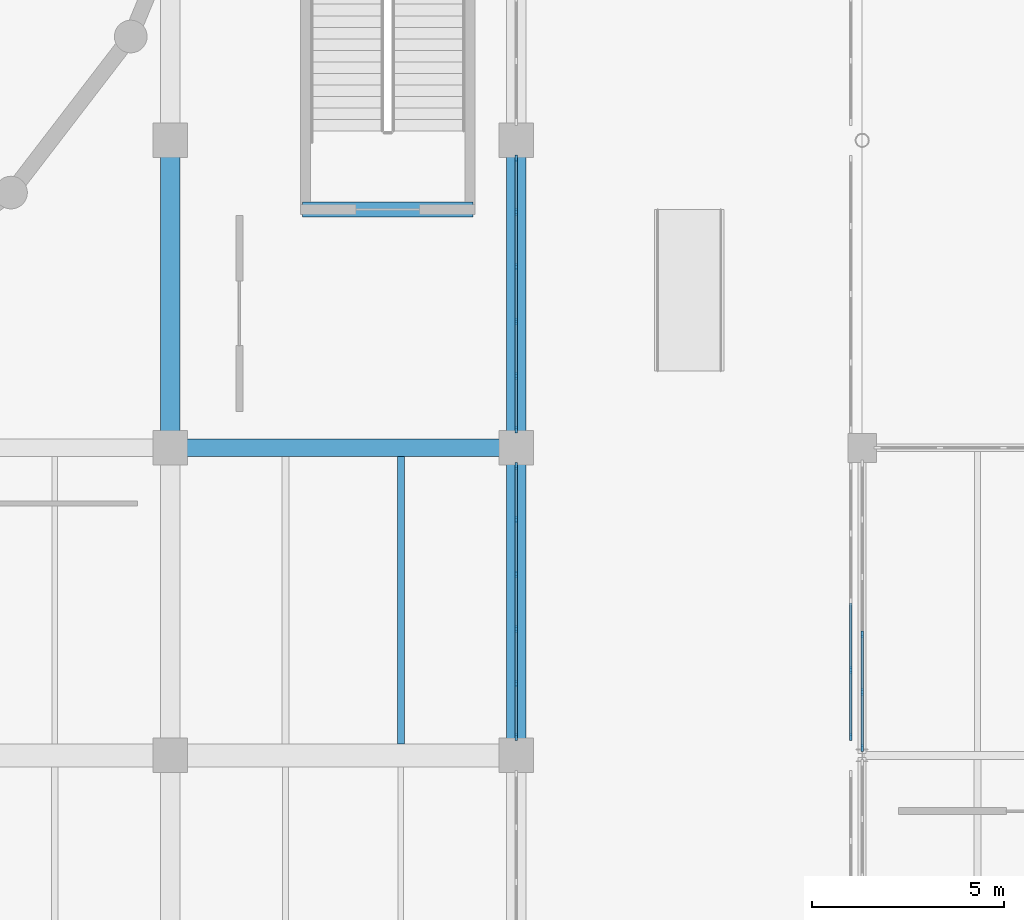
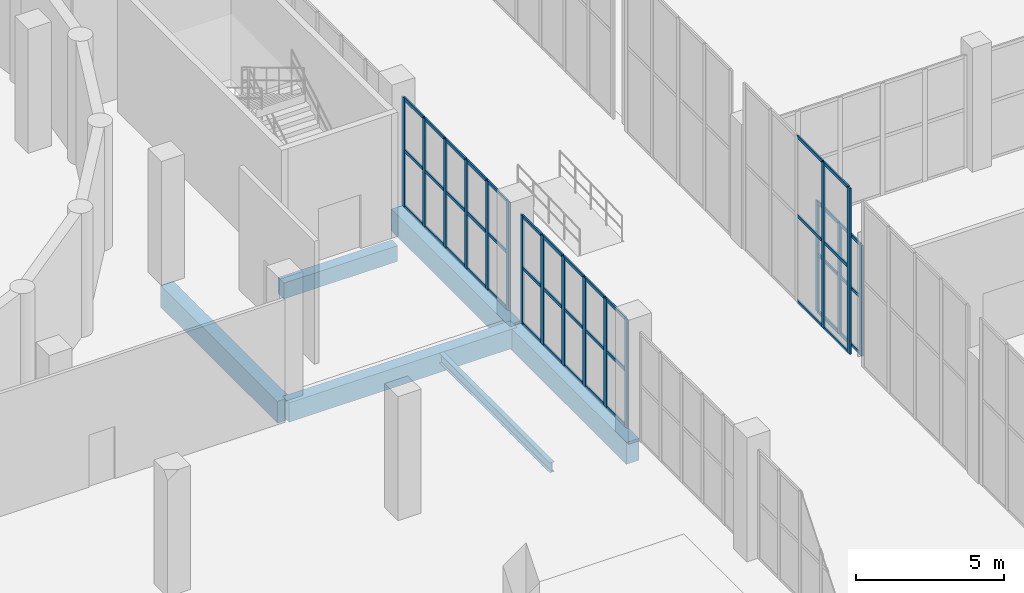
# One storey, part 44 of 103: 59 members, 6 beams, 4 elements without a shape of their own.
"""IFC4 building model written with IfcOpenShell, lengths in metres."""

from ifc_helpers import new_model, si_unit, direction, frame, origin, origin_2d, place, context, subcontext, project, spatial, rectangle, i_section, extrude, material, layer, layer_set, material_profile, profile_set, type_object, element, aggregate, save


model = new_model("IFC4")

# Units and contexts
model_context = context("Model", 3, precision=1e-05, world=origin(), true_north=direction((0.0, 1.0)))
body_context = subcontext(model_context, "Body", "Model", "MODEL_VIEW")
ifc_project = project(units=[si_unit("LENGTHUNIT", "METRE"), si_unit("AREAUNIT", "SQUARE_METRE"), si_unit("VOLUMEUNIT", "CUBIC_METRE"), si_unit("PLANEANGLEUNIT", "RADIAN"), si_unit("MASSUNIT", "GRAM", prefix="KILO")], contexts=[model_context])

# Site, building, storey
site_placement = place(None, origin())
site = spatial("IfcSite", under=ifc_project, at=site_placement, CompositionType="ELEMENT")
building_placement = place(site_placement, origin())
building = spatial("IfcBuilding", under=site, at=building_placement, Name="Marnock Terrace Opera House", CompositionType="ELEMENT")
storey_placement = place(building_placement, origin())
storey = spatial("IfcBuildingStorey", under=building, at=storey_placement, Name="L00", CompositionType="ELEMENT", Elevation=0.0)

# Beams
ifc_material_1 = material(Name="Concrete N40 (f'c = 40 MPa)", Category="concrete")
ifc_material_profile_1 = material_profile(ifc_material_1, rectangle(XDim=0.449951171875, YDim=0.800048828125, at=origin_2d()))
ifc_profile_set_1 = profile_set([ifc_material_profile_1], Name="Concrete N40 (f'c = 40 MPa)")
beam_type_1 = type_object("IfcBeamType", Name="BM-B1-RC450", PredefinedType="BEAM", material=ifc_profile_set_1)
beam_1_placement = place(storey_placement, frame((100.050048828125, 40.0, -0.699951171875), z_axis=(1.0, 0.0, 0.0), x_axis=(0.0, 1.0, 0.0)))
element("IfcBeam", 1, at=beam_1_placement, inside=storey, type_object=beam_type_1, Name="L00 girder (100.0..109.0, Y=40.0)", PredefinedType="BEAM", context=body_context, shape_type="SweptSolid", body=[
    extrude(rectangle(XDim=0.449951171875, YDim=0.800048828125, at=origin_2d()), origin(), (0.0, 0.0, 1.0), 8.89990234375),
])
ifc_material_profile_2 = material_profile(ifc_material_1, rectangle(XDim=0.5, YDim=0.89990234375, at=origin_2d()))
ifc_profile_set_2 = profile_set([ifc_material_profile_2], Name="Concrete N40 (f'c = 40 MPa)")
beam_type_2 = type_object("IfcBeamType", Name="BM-B1-RC500", PredefinedType="BEAM", material=ifc_profile_set_2)
for number, where, z_axis, x_axis, name in (
    (2, (100.0, 40.050048828125, -0.75), (0.0, 1.0, 0.0), (-1.0, 0.0, 0.0), "L00 girder (X=100.0, 40.0..48.0)"),
    (3, (109.0, 32.050048828125, -0.75), (0.0, 1.0, 0.0), (-1.0, 0.0, 0.0), "L00 girder (X=109.0, 32.0..40.0)"),
    (4, (109.0, 40.050048828125, -0.75), (0.0, 1.0, 0.0), (-1.0, 0.0, 0.0), "L00 girder (X=109.0, 40.0..48.0)"),
):
    element("IfcBeam", number, at=place(storey_placement, frame(where, z_axis=z_axis, x_axis=x_axis)), inside=storey, type_object=beam_type_2, Name=name, PredefinedType="BEAM", context=body_context, shape_type="SweptSolid", body=[
        extrude(rectangle(XDim=0.5, YDim=0.89990234375, at=origin_2d()), origin(), (0.0, 0.0, 1.0), 7.89990234375),
    ])
ifc_material_2 = material(Name="Steel Grade 350 (AS/NZS 3679.1)", Category="steel")
ifc_material_profile_3 = material_profile(ifc_material_2, i_section(OverallWidth=0.177978515625, OverallDepth=0.406494140625, WebThickness=0.0078125, FlangeThickness=0.0126953125, FilletRadius=0.011474609375, at=origin_2d()))
ifc_profile_set_3 = profile_set([ifc_material_profile_3], Name="Steel Grade 350 (AS/NZS 3679.1)")
beam_type_3 = type_object("IfcBeamType", Name="BM-JOIST-410", PredefinedType="JOIST", material=ifc_profile_set_3)
beam_2_placement = place(storey_placement, frame((106.0, 32.294921875, -0.503173828125), z_axis=(0.0, 1.0, 0.0), x_axis=(-1.0, 0.0, 0.0)))
element("IfcBeam", 5, at=beam_2_placement, inside=storey, type_object=beam_type_3, Name="L00 secondary joist 11.4.2", PredefinedType="JOIST", context=body_context, shape_type="SweptSolid", body=[
    extrude(i_section(OverallWidth=0.177978515625, OverallDepth=0.406494140625, WebThickness=0.0078125, FlangeThickness=0.0126953125, FilletRadius=0.011474609375, at=origin_2d()), origin(), (0.0, 0.0, 1.0), 7.485107421875),
])
ifc_material_profile_4 = material_profile(ifc_material_1, rectangle(XDim=0.39990234375, YDim=0.64990234375, at=origin_2d()))
ifc_profile_set_4 = profile_set([ifc_material_profile_4], Name="Concrete N40 (f'c = 40 MPa)")
beam_type_4 = type_object("IfcBeamType", Name="BM-LINT-RC400", PredefinedType="LINTEL", material=ifc_profile_set_4)
beam_3_placement = place(storey_placement, frame((103.43994140625, 46.199951171875, -0.64990234375), z_axis=(1.0, 0.0, 0.0), x_axis=(0.0, 1.0, 0.0)))
element("IfcBeam", 6, at=beam_3_placement, inside=storey, type_object=beam_type_4, Name="B1 Core C2 coupling lintel", PredefinedType="LINTEL", context=body_context, shape_type="SweptSolid", body=[
    extrude(rectangle(XDim=0.39990234375, YDim=0.64990234375, at=origin_2d()), origin(), (0.0, 0.0, 1.0), 4.43994140625),
])

# Curtain wall, members
ifc_material_3 = material(Name="Anodised architectural bronze aluminium framing", Category="aluminium")
ifc_layer_1 = layer(ifc_material_3, 0.159912109375)
ifc_layer_set_1 = layer_set([ifc_layer_1], Name="Anodised architectural bronze aluminium framing")
curtain_wall_type_1 = type_object("IfcCurtainWallType", Name="CW-FOYER-80x51", PredefinedType="NOTDEFINED", material=ifc_layer_set_1)
curtain_wall_1_placement = place(storey_placement, origin())
curtain_wall_1 = element("IfcCurtainWall", 7, at=curtain_wall_1_placement, inside=storey, type_object=curtain_wall_type_1, Name="L00 glazed Beaux-Arts colonnade curtain wall CW-V1E-L00-04", PredefinedType="NOTDEFINED")
ifc_material_profile_5 = material_profile(ifc_material_3, rectangle(XDim=0.06494140625, YDim=0.179931640625, at=origin_2d()))
ifc_profile_set_5 = profile_set([ifc_material_profile_5], Name="Anodised architectural bronze aluminium framing")
member_type_1 = type_object("IfcMemberType", Name="CWM-65x180", PredefinedType="MULLION", material=ifc_profile_set_5)
member_1_placement = place(storey_placement, frame((109.0, 32.47607421875, 0.0), z_axis=(0.0, 0.0, 1.0), x_axis=(-1.0, 0.0, 0.0)))
member_1 = element("IfcMember", 8, at=member_1_placement, type_object=member_type_1, Name="CW-73 mullion 1", PredefinedType="MULLION", context=body_context, shape_type="SweptSolid", body=[
    extrude(rectangle(XDim=0.06494140625, YDim=0.179931640625, at=origin_2d()), origin(), (0.0, 0.0, 1.0), 4.488037109375),
])
member_2_placement = place(storey_placement, frame((109.0, 33.86767578125, 0.0), z_axis=(0.0, 0.0, 1.0), x_axis=(-1.0, 0.0, 0.0)))
member_2 = element("IfcMember", 9, at=member_2_placement, type_object=member_type_1, Name="CW-73 mullion 2", PredefinedType="MULLION", context=body_context, shape_type="SweptSolid", body=[
    extrude(rectangle(XDim=0.06494140625, YDim=0.179931640625, at=origin_2d()), origin(), (0.0, 0.0, 1.0), 4.488037109375),
])
member_3_placement = place(storey_placement, frame((109.0, 35.289306640625, 0.0), z_axis=(0.0, 0.0, 1.0), x_axis=(-1.0, 0.0, 0.0)))
member_3 = element("IfcMember", 10, at=member_3_placement, type_object=member_type_1, Name="CW-73 mullion 3", PredefinedType="MULLION", context=body_context, shape_type="SweptSolid", body=[
    extrude(rectangle(XDim=0.06494140625, YDim=0.179931640625, at=origin_2d()), origin(), (0.0, 0.0, 1.0), 4.488037109375),
])
member_4_placement = place(storey_placement, frame((109.0, 36.710693359375, 0.0), z_axis=(0.0, 0.0, 1.0), x_axis=(-1.0, 0.0, 0.0)))
member_4 = element("IfcMember", 11, at=member_4_placement, type_object=member_type_1, Name="CW-73 mullion 4", PredefinedType="MULLION", context=body_context, shape_type="SweptSolid", body=[
    extrude(rectangle(XDim=0.06494140625, YDim=0.179931640625, at=origin_2d()), origin(), (0.0, 0.0, 1.0), 4.488037109375),
])
member_5_placement = place(storey_placement, frame((109.0, 38.13232421875, 0.0), z_axis=(0.0, 0.0, 1.0), x_axis=(-1.0, 0.0, 0.0)))
member_5 = element("IfcMember", 12, at=member_5_placement, type_object=member_type_1, Name="CW-73 mullion 5", PredefinedType="MULLION", context=body_context, shape_type="SweptSolid", body=[
    extrude(rectangle(XDim=0.06494140625, YDim=0.179931640625, at=origin_2d()), origin(), (0.0, 0.0, 1.0), 4.488037109375),
])
member_6_placement = place(storey_placement, frame((109.0, 39.52392578125, 0.0), z_axis=(0.0, 0.0, 1.0), x_axis=(-1.0, 0.0, 0.0)))
member_6 = element("IfcMember", 13, at=member_6_placement, type_object=member_type_1, Name="CW-73 mullion 6", PredefinedType="MULLION", context=body_context, shape_type="SweptSolid", body=[
    extrude(rectangle(XDim=0.06494140625, YDim=0.179931640625, at=origin_2d()), origin(), (0.0, 0.0, 1.0), 4.488037109375),
])

curtain_wall_2_placement = place(storey_placement, origin())
curtain_wall_2 = element("IfcCurtainWall", 14, at=curtain_wall_2_placement, inside=storey, type_object=curtain_wall_type_1, Name="L00 glazed Beaux-Arts colonnade curtain wall CW-V1E-L00-05", PredefinedType="NOTDEFINED")
member_7_placement = place(storey_placement, frame((109.0, 40.47607421875, 0.0), z_axis=(0.0, 0.0, 1.0), x_axis=(-1.0, 0.0, 0.0)))
member_7 = element("IfcMember", 15, at=member_7_placement, type_object=member_type_1, Name="CW-73 mullion 1", PredefinedType="MULLION", context=body_context, shape_type="SweptSolid", body=[
    extrude(rectangle(XDim=0.06494140625, YDim=0.179931640625, at=origin_2d()), origin(), (0.0, 0.0, 1.0), 4.488037109375),
])
member_8_placement = place(storey_placement, frame((109.0, 41.86767578125, 0.0), z_axis=(0.0, 0.0, 1.0), x_axis=(-1.0, 0.0, 0.0)))
member_8 = element("IfcMember", 16, at=member_8_placement, type_object=member_type_1, Name="CW-73 mullion 2", PredefinedType="MULLION", context=body_context, shape_type="SweptSolid", body=[
    extrude(rectangle(XDim=0.06494140625, YDim=0.179931640625, at=origin_2d()), origin(), (0.0, 0.0, 1.0), 4.488037109375),
])
member_9_placement = place(storey_placement, frame((109.0, 43.289306640625, 0.0), z_axis=(0.0, 0.0, 1.0), x_axis=(-1.0, 0.0, 0.0)))
member_9 = element("IfcMember", 17, at=member_9_placement, type_object=member_type_1, Name="CW-73 mullion 3", PredefinedType="MULLION", context=body_context, shape_type="SweptSolid", body=[
    extrude(rectangle(XDim=0.06494140625, YDim=0.179931640625, at=origin_2d()), origin(), (0.0, 0.0, 1.0), 4.488037109375),
])
member_10_placement = place(storey_placement, frame((109.0, 44.710693359375, 0.0), z_axis=(0.0, 0.0, 1.0), x_axis=(-1.0, 0.0, 0.0)))
member_10 = element("IfcMember", 18, at=member_10_placement, type_object=member_type_1, Name="CW-73 mullion 4", PredefinedType="MULLION", context=body_context, shape_type="SweptSolid", body=[
    extrude(rectangle(XDim=0.06494140625, YDim=0.179931640625, at=origin_2d()), origin(), (0.0, 0.0, 1.0), 4.488037109375),
])
member_11_placement = place(storey_placement, frame((109.0, 46.13232421875, 0.0), z_axis=(0.0, 0.0, 1.0), x_axis=(-1.0, 0.0, 0.0)))
member_11 = element("IfcMember", 19, at=member_11_placement, type_object=member_type_1, Name="CW-73 mullion 5", PredefinedType="MULLION", context=body_context, shape_type="SweptSolid", body=[
    extrude(rectangle(XDim=0.06494140625, YDim=0.179931640625, at=origin_2d()), origin(), (0.0, 0.0, 1.0), 4.488037109375),
])
member_12_placement = place(storey_placement, frame((109.0, 47.52392578125, 0.0), z_axis=(0.0, 0.0, 1.0), x_axis=(-1.0, 0.0, 0.0)))
member_12 = element("IfcMember", 20, at=member_12_placement, type_object=member_type_1, Name="CW-73 mullion 6", PredefinedType="MULLION", context=body_context, shape_type="SweptSolid", body=[
    extrude(rectangle(XDim=0.06494140625, YDim=0.179931640625, at=origin_2d()), origin(), (0.0, 0.0, 1.0), 4.488037109375),
])

ifc_layer_2 = layer(ifc_material_3, 0.159912109375)
ifc_layer_set_2 = layer_set([ifc_layer_2], Name="Anodised architectural bronze aluminium framing")
curtain_wall_type_2 = type_object("IfcCurtainWallType", Name="CW-LOGGIA-86x51", PredefinedType="NOTDEFINED", material=ifc_layer_set_2)
curtain_wall_3_placement = place(storey_placement, origin())
curtain_wall_3 = element("IfcCurtainWall", 21, at=curtain_wall_3_placement, inside=storey, type_object=curtain_wall_type_2, Name="L00 glazed Beaux-Arts colonnade curtain wall CW-V5-L00-W4", PredefinedType="NOTDEFINED")
member_13_placement = place(storey_placement, frame((118.0, 32.189697265625, 0.0), z_axis=(0.0, 0.0, 1.0), x_axis=(-1.0, 0.0, 0.0)))
member_13 = element("IfcMember", 22, at=member_13_placement, type_object=member_type_1, Name="CW-96 mullion 1", PredefinedType="MULLION", context=body_context, shape_type="SweptSolid", body=[
    extrude(rectangle(XDim=0.06494140625, YDim=0.179931640625, at=origin_2d()), origin(), (0.0, 0.0, 1.0), 4.56201171875),
])
member_14_placement = place(storey_placement, frame((118.0, 33.653564453125, 0.0), z_axis=(0.0, 0.0, 1.0), x_axis=(-1.0, 0.0, 0.0)))
member_14 = element("IfcMember", 23, at=member_14_placement, type_object=member_type_1, Name="CW-96 mullion 2", PredefinedType="MULLION", context=body_context, shape_type="SweptSolid", body=[
    extrude(rectangle(XDim=0.06494140625, YDim=0.179931640625, at=origin_2d()), origin(), (0.0, 0.0, 1.0), 4.56201171875),
])
member_15_placement = place(storey_placement, frame((118.0, 35.1474609375, 0.0), z_axis=(0.0, 0.0, 1.0), x_axis=(-1.0, 0.0, 0.0)))
member_15 = element("IfcMember", 24, at=member_15_placement, type_object=member_type_1, Name="CW-96 mullion 3", PredefinedType="MULLION", context=body_context, shape_type="SweptSolid", body=[
    extrude(rectangle(XDim=0.06494140625, YDim=0.179931640625, at=origin_2d()), origin(), (0.0, 0.0, 1.0), 4.56201171875),
])

ifc_layer_3 = layer(ifc_material_3, 0.159912109375)
ifc_layer_set_3 = layer_set([ifc_layer_3], Name="Anodised architectural bronze aluminium framing")
curtain_wall_type_3 = type_object("IfcCurtainWallType", Name="CW-PASSAGE-71x68", PredefinedType="NOTDEFINED", material=ifc_layer_set_3)
curtain_wall_4_placement = place(storey_placement, origin())
curtain_wall_4 = element("IfcCurtainWall", 25, at=curtain_wall_4_placement, inside=storey, type_object=curtain_wall_type_3, Name="L00 glazed Beaux-Arts colonnade curtain wall CW-PASSAGE-L00-04", PredefinedType="NOTDEFINED")
member_16_placement = place(storey_placement, frame((117.699951171875, 32.47998046875, 0.0), z_axis=(0.0, 0.0, 1.0), x_axis=(-1.0, 0.0, 0.0)))
member_16 = element("IfcMember", 26, at=member_16_placement, type_object=member_type_1, Name="CW-33 mullion 1", PredefinedType="MULLION", context=body_context, shape_type="SweptSolid", body=[
    extrude(rectangle(XDim=0.06494140625, YDim=0.179931640625, at=origin_2d()), origin(), (0.0, 0.0, 1.0), 6.85009765625),
])
member_17_placement = place(storey_placement, frame((117.699951171875, 34.22509765625, 0.0), z_axis=(0.0, 0.0, 1.0), x_axis=(-1.0, 0.0, 0.0)))
member_17 = element("IfcMember", 27, at=member_17_placement, type_object=member_type_1, Name="CW-33 mullion 2", PredefinedType="MULLION", context=body_context, shape_type="SweptSolid", body=[
    extrude(rectangle(XDim=0.06494140625, YDim=0.179931640625, at=origin_2d()), origin(), (0.0, 0.0, 1.0), 6.85009765625),
])

# Member
ifc_material_profile_6 = material_profile(ifc_material_3, rectangle(XDim=0.06005859375, YDim=0.1298828125, at=origin_2d()))
ifc_profile_set_6 = profile_set([ifc_material_profile_6], Name="Anodised architectural bronze aluminium framing")
member_type_2 = type_object("IfcMemberType", Name="CWT-60x130", PredefinedType="USERDEFINED", material=ifc_profile_set_6)
member_18_placement = place(storey_placement, frame((109.0, 32.506103515625, 0.030029296875), z_axis=(0.0, 1.0, 0.0), x_axis=(-1.0, 0.0, 0.0)))
member_18 = element("IfcMember", 28, at=member_18_placement, type_object=member_type_2, Name="CW-73 transom 1.1", ObjectType="TRANSOM", PredefinedType="USERDEFINED", context=body_context, shape_type="SweptSolid", body=[
    extrude(rectangle(XDim=0.06005859375, YDim=0.1298828125, at=origin_2d()), origin(), (0.0, 0.0, 1.0), 1.33154296875),
])

member_19_placement = place(storey_placement, frame((109.0, 32.506103515625, 2.333740234375), z_axis=(0.0, 1.0, 0.0), x_axis=(-1.0, 0.0, 0.0)))
member_19 = element("IfcMember", 29, at=member_19_placement, type_object=member_type_2, Name="CW-73 transom 1.2", ObjectType="TRANSOM", PredefinedType="USERDEFINED", context=body_context, shape_type="SweptSolid", body=[
    extrude(rectangle(XDim=0.06005859375, YDim=0.1298828125, at=origin_2d()), origin(), (0.0, 0.0, 1.0), 1.33154296875),
])

member_20_placement = place(storey_placement, frame((109.0, 32.506103515625, 4.4580078125), z_axis=(0.0, 1.0, 0.0), x_axis=(-1.0, 0.0, 0.0)))
member_20 = element("IfcMember", 30, at=member_20_placement, type_object=member_type_2, Name="CW-73 transom 1.3", ObjectType="TRANSOM", PredefinedType="USERDEFINED", context=body_context, shape_type="SweptSolid", body=[
    extrude(rectangle(XDim=0.06005859375, YDim=0.1298828125, at=origin_2d()), origin(), (0.0, 0.0, 1.0), 1.33154296875),
])

member_21_placement = place(storey_placement, frame((109.0, 33.897705078125, 0.030029296875), z_axis=(0.0, 1.0, 0.0), x_axis=(-1.0, 0.0, 0.0)))
member_21 = element("IfcMember", 31, at=member_21_placement, type_object=member_type_2, Name="CW-73 transom 2.1", ObjectType="TRANSOM", PredefinedType="USERDEFINED", context=body_context, shape_type="SweptSolid", body=[
    extrude(rectangle(XDim=0.06005859375, YDim=0.1298828125, at=origin_2d()), origin(), (0.0, 0.0, 1.0), 1.361572265625),
])

member_22_placement = place(storey_placement, frame((109.0, 33.897705078125, 2.333740234375), z_axis=(0.0, 1.0, 0.0), x_axis=(-1.0, 0.0, 0.0)))
member_22 = element("IfcMember", 32, at=member_22_placement, type_object=member_type_2, Name="CW-73 transom 2.2", ObjectType="TRANSOM", PredefinedType="USERDEFINED", context=body_context, shape_type="SweptSolid", body=[
    extrude(rectangle(XDim=0.06005859375, YDim=0.1298828125, at=origin_2d()), origin(), (0.0, 0.0, 1.0), 1.361572265625),
])

member_23_placement = place(storey_placement, frame((109.0, 33.897705078125, 4.4580078125), z_axis=(0.0, 1.0, 0.0), x_axis=(-1.0, 0.0, 0.0)))
member_23 = element("IfcMember", 33, at=member_23_placement, type_object=member_type_2, Name="CW-73 transom 2.3", ObjectType="TRANSOM", PredefinedType="USERDEFINED", context=body_context, shape_type="SweptSolid", body=[
    extrude(rectangle(XDim=0.06005859375, YDim=0.1298828125, at=origin_2d()), origin(), (0.0, 0.0, 1.0), 1.361572265625),
])

member_24_placement = place(storey_placement, frame((109.0, 35.319091796875, 0.030029296875), z_axis=(0.0, 1.0, 0.0), x_axis=(-1.0, 0.0, 0.0)))
member_24 = element("IfcMember", 34, at=member_24_placement, type_object=member_type_2, Name="CW-73 transom 3.1", ObjectType="TRANSOM", PredefinedType="USERDEFINED", context=body_context, shape_type="SweptSolid", body=[
    extrude(rectangle(XDim=0.06005859375, YDim=0.1298828125, at=origin_2d()), origin(), (0.0, 0.0, 1.0), 1.36181640625),
])

member_25_placement = place(storey_placement, frame((109.0, 35.319091796875, 2.333740234375), z_axis=(0.0, 1.0, 0.0), x_axis=(-1.0, 0.0, 0.0)))
member_25 = element("IfcMember", 35, at=member_25_placement, type_object=member_type_2, Name="CW-73 transom 3.2", ObjectType="TRANSOM", PredefinedType="USERDEFINED", context=body_context, shape_type="SweptSolid", body=[
    extrude(rectangle(XDim=0.06005859375, YDim=0.1298828125, at=origin_2d()), origin(), (0.0, 0.0, 1.0), 1.36181640625),
])

member_26_placement = place(storey_placement, frame((109.0, 35.319091796875, 4.4580078125), z_axis=(0.0, 1.0, 0.0), x_axis=(-1.0, 0.0, 0.0)))
member_26 = element("IfcMember", 36, at=member_26_placement, type_object=member_type_2, Name="CW-73 transom 3.3", ObjectType="TRANSOM", PredefinedType="USERDEFINED", context=body_context, shape_type="SweptSolid", body=[
    extrude(rectangle(XDim=0.06005859375, YDim=0.1298828125, at=origin_2d()), origin(), (0.0, 0.0, 1.0), 1.36181640625),
])

member_27_placement = place(storey_placement, frame((109.0, 36.74072265625, 0.030029296875), z_axis=(0.0, 1.0, 0.0), x_axis=(-1.0, 0.0, 0.0)))
member_27 = element("IfcMember", 37, at=member_27_placement, type_object=member_type_2, Name="CW-73 transom 4.1", ObjectType="TRANSOM", PredefinedType="USERDEFINED", context=body_context, shape_type="SweptSolid", body=[
    extrude(rectangle(XDim=0.06005859375, YDim=0.1298828125, at=origin_2d()), origin(), (0.0, 0.0, 1.0), 1.361572265625),
])

member_28_placement = place(storey_placement, frame((109.0, 36.74072265625, 2.333740234375), z_axis=(0.0, 1.0, 0.0), x_axis=(-1.0, 0.0, 0.0)))
member_28 = element("IfcMember", 38, at=member_28_placement, type_object=member_type_2, Name="CW-73 transom 4.2", ObjectType="TRANSOM", PredefinedType="USERDEFINED", context=body_context, shape_type="SweptSolid", body=[
    extrude(rectangle(XDim=0.06005859375, YDim=0.1298828125, at=origin_2d()), origin(), (0.0, 0.0, 1.0), 1.361572265625),
])

member_29_placement = place(storey_placement, frame((109.0, 36.74072265625, 4.4580078125), z_axis=(0.0, 1.0, 0.0), x_axis=(-1.0, 0.0, 0.0)))
member_29 = element("IfcMember", 39, at=member_29_placement, type_object=member_type_2, Name="CW-73 transom 4.3", ObjectType="TRANSOM", PredefinedType="USERDEFINED", context=body_context, shape_type="SweptSolid", body=[
    extrude(rectangle(XDim=0.06005859375, YDim=0.1298828125, at=origin_2d()), origin(), (0.0, 0.0, 1.0), 1.361572265625),
])

member_30_placement = place(storey_placement, frame((109.0, 38.162353515625, 0.030029296875), z_axis=(0.0, 1.0, 0.0), x_axis=(-1.0, 0.0, 0.0)))
member_30 = element("IfcMember", 40, at=member_30_placement, type_object=member_type_2, Name="CW-73 transom 5.1", ObjectType="TRANSOM", PredefinedType="USERDEFINED", context=body_context, shape_type="SweptSolid", body=[
    extrude(rectangle(XDim=0.06005859375, YDim=0.1298828125, at=origin_2d()), origin(), (0.0, 0.0, 1.0), 1.33154296875),
])

member_31_placement = place(storey_placement, frame((109.0, 38.162353515625, 2.333740234375), z_axis=(0.0, 1.0, 0.0), x_axis=(-1.0, 0.0, 0.0)))
member_31 = element("IfcMember", 41, at=member_31_placement, type_object=member_type_2, Name="CW-73 transom 5.2", ObjectType="TRANSOM", PredefinedType="USERDEFINED", context=body_context, shape_type="SweptSolid", body=[
    extrude(rectangle(XDim=0.06005859375, YDim=0.1298828125, at=origin_2d()), origin(), (0.0, 0.0, 1.0), 1.33154296875),
])

member_32_placement = place(storey_placement, frame((109.0, 38.162353515625, 4.4580078125), z_axis=(0.0, 1.0, 0.0), x_axis=(-1.0, 0.0, 0.0)))
member_32 = element("IfcMember", 42, at=member_32_placement, type_object=member_type_2, Name="CW-73 transom 5.3", ObjectType="TRANSOM", PredefinedType="USERDEFINED", context=body_context, shape_type="SweptSolid", body=[
    extrude(rectangle(XDim=0.06005859375, YDim=0.1298828125, at=origin_2d()), origin(), (0.0, 0.0, 1.0), 1.33154296875),
])

aggregate(curtain_wall_1, [member_1, member_2, member_3, member_4, member_5, member_6, member_18, member_19, member_20, member_21, member_22, member_23, member_24, member_25, member_26, member_27, member_28, member_29, member_30, member_31, member_32])

member_33_placement = place(storey_placement, frame((109.0, 40.506103515625, 0.030029296875), z_axis=(0.0, 1.0, 0.0), x_axis=(-1.0, 0.0, 0.0)))
member_33 = element("IfcMember", 43, at=member_33_placement, type_object=member_type_2, Name="CW-73 transom 1.1", ObjectType="TRANSOM", PredefinedType="USERDEFINED", context=body_context, shape_type="SweptSolid", body=[
    extrude(rectangle(XDim=0.06005859375, YDim=0.1298828125, at=origin_2d()), origin(), (0.0, 0.0, 1.0), 1.33154296875),
])

member_34_placement = place(storey_placement, frame((109.0, 40.506103515625, 2.333740234375), z_axis=(0.0, 1.0, 0.0), x_axis=(-1.0, 0.0, 0.0)))
member_34 = element("IfcMember", 44, at=member_34_placement, type_object=member_type_2, Name="CW-73 transom 1.2", ObjectType="TRANSOM", PredefinedType="USERDEFINED", context=body_context, shape_type="SweptSolid", body=[
    extrude(rectangle(XDim=0.06005859375, YDim=0.1298828125, at=origin_2d()), origin(), (0.0, 0.0, 1.0), 1.33154296875),
])

member_35_placement = place(storey_placement, frame((109.0, 40.506103515625, 4.4580078125), z_axis=(0.0, 1.0, 0.0), x_axis=(-1.0, 0.0, 0.0)))
member_35 = element("IfcMember", 45, at=member_35_placement, type_object=member_type_2, Name="CW-73 transom 1.3", ObjectType="TRANSOM", PredefinedType="USERDEFINED", context=body_context, shape_type="SweptSolid", body=[
    extrude(rectangle(XDim=0.06005859375, YDim=0.1298828125, at=origin_2d()), origin(), (0.0, 0.0, 1.0), 1.33154296875),
])

member_36_placement = place(storey_placement, frame((109.0, 41.897705078125, 0.030029296875), z_axis=(0.0, 1.0, 0.0), x_axis=(-1.0, 0.0, 0.0)))
member_36 = element("IfcMember", 46, at=member_36_placement, type_object=member_type_2, Name="CW-73 transom 2.1", ObjectType="TRANSOM", PredefinedType="USERDEFINED", context=body_context, shape_type="SweptSolid", body=[
    extrude(rectangle(XDim=0.06005859375, YDim=0.1298828125, at=origin_2d()), origin(), (0.0, 0.0, 1.0), 1.361572265625),
])

member_37_placement = place(storey_placement, frame((109.0, 41.897705078125, 2.333740234375), z_axis=(0.0, 1.0, 0.0), x_axis=(-1.0, 0.0, 0.0)))
member_37 = element("IfcMember", 47, at=member_37_placement, type_object=member_type_2, Name="CW-73 transom 2.2", ObjectType="TRANSOM", PredefinedType="USERDEFINED", context=body_context, shape_type="SweptSolid", body=[
    extrude(rectangle(XDim=0.06005859375, YDim=0.1298828125, at=origin_2d()), origin(), (0.0, 0.0, 1.0), 1.361572265625),
])

member_38_placement = place(storey_placement, frame((109.0, 41.897705078125, 4.4580078125), z_axis=(0.0, 1.0, 0.0), x_axis=(-1.0, 0.0, 0.0)))
member_38 = element("IfcMember", 48, at=member_38_placement, type_object=member_type_2, Name="CW-73 transom 2.3", ObjectType="TRANSOM", PredefinedType="USERDEFINED", context=body_context, shape_type="SweptSolid", body=[
    extrude(rectangle(XDim=0.06005859375, YDim=0.1298828125, at=origin_2d()), origin(), (0.0, 0.0, 1.0), 1.361572265625),
])

member_39_placement = place(storey_placement, frame((109.0, 43.319091796875, 0.030029296875), z_axis=(0.0, 1.0, 0.0), x_axis=(-1.0, 0.0, 0.0)))
member_39 = element("IfcMember", 49, at=member_39_placement, type_object=member_type_2, Name="CW-73 transom 3.1", ObjectType="TRANSOM", PredefinedType="USERDEFINED", context=body_context, shape_type="SweptSolid", body=[
    extrude(rectangle(XDim=0.06005859375, YDim=0.1298828125, at=origin_2d()), origin(), (0.0, 0.0, 1.0), 1.36181640625),
])

member_40_placement = place(storey_placement, frame((109.0, 43.319091796875, 2.333740234375), z_axis=(0.0, 1.0, 0.0), x_axis=(-1.0, 0.0, 0.0)))
member_40 = element("IfcMember", 50, at=member_40_placement, type_object=member_type_2, Name="CW-73 transom 3.2", ObjectType="TRANSOM", PredefinedType="USERDEFINED", context=body_context, shape_type="SweptSolid", body=[
    extrude(rectangle(XDim=0.06005859375, YDim=0.1298828125, at=origin_2d()), origin(), (0.0, 0.0, 1.0), 1.36181640625),
])

member_41_placement = place(storey_placement, frame((109.0, 43.319091796875, 4.4580078125), z_axis=(0.0, 1.0, 0.0), x_axis=(-1.0, 0.0, 0.0)))
member_41 = element("IfcMember", 51, at=member_41_placement, type_object=member_type_2, Name="CW-73 transom 3.3", ObjectType="TRANSOM", PredefinedType="USERDEFINED", context=body_context, shape_type="SweptSolid", body=[
    extrude(rectangle(XDim=0.06005859375, YDim=0.1298828125, at=origin_2d()), origin(), (0.0, 0.0, 1.0), 1.36181640625),
])

member_42_placement = place(storey_placement, frame((109.0, 44.74072265625, 0.030029296875), z_axis=(0.0, 1.0, 0.0), x_axis=(-1.0, 0.0, 0.0)))
member_42 = element("IfcMember", 52, at=member_42_placement, type_object=member_type_2, Name="CW-73 transom 4.1", ObjectType="TRANSOM", PredefinedType="USERDEFINED", context=body_context, shape_type="SweptSolid", body=[
    extrude(rectangle(XDim=0.06005859375, YDim=0.1298828125, at=origin_2d()), origin(), (0.0, 0.0, 1.0), 1.361572265625),
])

member_43_placement = place(storey_placement, frame((109.0, 44.74072265625, 2.333740234375), z_axis=(0.0, 1.0, 0.0), x_axis=(-1.0, 0.0, 0.0)))
member_43 = element("IfcMember", 53, at=member_43_placement, type_object=member_type_2, Name="CW-73 transom 4.2", ObjectType="TRANSOM", PredefinedType="USERDEFINED", context=body_context, shape_type="SweptSolid", body=[
    extrude(rectangle(XDim=0.06005859375, YDim=0.1298828125, at=origin_2d()), origin(), (0.0, 0.0, 1.0), 1.361572265625),
])

member_44_placement = place(storey_placement, frame((109.0, 44.74072265625, 4.4580078125), z_axis=(0.0, 1.0, 0.0), x_axis=(-1.0, 0.0, 0.0)))
member_44 = element("IfcMember", 54, at=member_44_placement, type_object=member_type_2, Name="CW-73 transom 4.3", ObjectType="TRANSOM", PredefinedType="USERDEFINED", context=body_context, shape_type="SweptSolid", body=[
    extrude(rectangle(XDim=0.06005859375, YDim=0.1298828125, at=origin_2d()), origin(), (0.0, 0.0, 1.0), 1.361572265625),
])

member_45_placement = place(storey_placement, frame((109.0, 46.162353515625, 0.030029296875), z_axis=(0.0, 1.0, 0.0), x_axis=(-1.0, 0.0, 0.0)))
member_45 = element("IfcMember", 55, at=member_45_placement, type_object=member_type_2, Name="CW-73 transom 5.1", ObjectType="TRANSOM", PredefinedType="USERDEFINED", context=body_context, shape_type="SweptSolid", body=[
    extrude(rectangle(XDim=0.06005859375, YDim=0.1298828125, at=origin_2d()), origin(), (0.0, 0.0, 1.0), 1.33154296875),
])

member_46_placement = place(storey_placement, frame((109.0, 46.162353515625, 2.333740234375), z_axis=(0.0, 1.0, 0.0), x_axis=(-1.0, 0.0, 0.0)))
member_46 = element("IfcMember", 56, at=member_46_placement, type_object=member_type_2, Name="CW-73 transom 5.2", ObjectType="TRANSOM", PredefinedType="USERDEFINED", context=body_context, shape_type="SweptSolid", body=[
    extrude(rectangle(XDim=0.06005859375, YDim=0.1298828125, at=origin_2d()), origin(), (0.0, 0.0, 1.0), 1.33154296875),
])

member_47_placement = place(storey_placement, frame((109.0, 46.162353515625, 4.4580078125), z_axis=(0.0, 1.0, 0.0), x_axis=(-1.0, 0.0, 0.0)))
member_47 = element("IfcMember", 57, at=member_47_placement, type_object=member_type_2, Name="CW-73 transom 5.3", ObjectType="TRANSOM", PredefinedType="USERDEFINED", context=body_context, shape_type="SweptSolid", body=[
    extrude(rectangle(XDim=0.06005859375, YDim=0.1298828125, at=origin_2d()), origin(), (0.0, 0.0, 1.0), 1.33154296875),
])

aggregate(curtain_wall_2, [member_7, member_8, member_9, member_10, member_11, member_12, member_33, member_34, member_35, member_36, member_37, member_38, member_39, member_40, member_41, member_42, member_43, member_44, member_45, member_46, member_47])

member_48_placement = place(storey_placement, frame((118.0, 32.219482421875, 0.030029296875), z_axis=(0.0, 1.0, 0.0), x_axis=(-1.0, 0.0, 0.0)))
member_48 = element("IfcMember", 58, at=member_48_placement, type_object=member_type_2, Name="CW-96 transom 1.1", ObjectType="TRANSOM", PredefinedType="USERDEFINED", context=body_context, shape_type="SweptSolid", body=[
    extrude(rectangle(XDim=0.06005859375, YDim=0.1298828125, at=origin_2d()), origin(), (0.0, 0.0, 1.0), 1.404052734375),
])

member_49_placement = place(storey_placement, frame((118.0, 32.219482421875, 2.372314453125), z_axis=(0.0, 1.0, 0.0), x_axis=(-1.0, 0.0, 0.0)))
member_49 = element("IfcMember", 59, at=member_49_placement, type_object=member_type_2, Name="CW-96 transom 1.2", ObjectType="TRANSOM", PredefinedType="USERDEFINED", context=body_context, shape_type="SweptSolid", body=[
    extrude(rectangle(XDim=0.06005859375, YDim=0.1298828125, at=origin_2d()), origin(), (0.0, 0.0, 1.0), 1.404052734375),
])

member_50_placement = place(storey_placement, frame((118.0, 32.219482421875, 4.531982421875), z_axis=(0.0, 1.0, 0.0), x_axis=(-1.0, 0.0, 0.0)))
member_50 = element("IfcMember", 60, at=member_50_placement, type_object=member_type_2, Name="CW-96 transom 1.3", ObjectType="TRANSOM", PredefinedType="USERDEFINED", context=body_context, shape_type="SweptSolid", body=[
    extrude(rectangle(XDim=0.06005859375, YDim=0.1298828125, at=origin_2d()), origin(), (0.0, 0.0, 1.0), 1.404052734375),
])

member_51_placement = place(storey_placement, frame((118.0, 33.68359375, 0.030029296875), z_axis=(0.0, 1.0, 0.0), x_axis=(-1.0, 0.0, 0.0)))
member_51 = element("IfcMember", 61, at=member_51_placement, type_object=member_type_2, Name="CW-96 transom 2.1", ObjectType="TRANSOM", PredefinedType="USERDEFINED", context=body_context, shape_type="SweptSolid", body=[
    extrude(rectangle(XDim=0.06005859375, YDim=0.1298828125, at=origin_2d()), origin(), (0.0, 0.0, 1.0), 1.433837890625),
])

member_52_placement = place(storey_placement, frame((118.0, 33.68359375, 2.372314453125), z_axis=(0.0, 1.0, 0.0), x_axis=(-1.0, 0.0, 0.0)))
member_52 = element("IfcMember", 62, at=member_52_placement, type_object=member_type_2, Name="CW-96 transom 2.2", ObjectType="TRANSOM", PredefinedType="USERDEFINED", context=body_context, shape_type="SweptSolid", body=[
    extrude(rectangle(XDim=0.06005859375, YDim=0.1298828125, at=origin_2d()), origin(), (0.0, 0.0, 1.0), 1.433837890625),
])

member_53_placement = place(storey_placement, frame((118.0, 33.68359375, 4.531982421875), z_axis=(0.0, 1.0, 0.0), x_axis=(-1.0, 0.0, 0.0)))
member_53 = element("IfcMember", 63, at=member_53_placement, type_object=member_type_2, Name="CW-96 transom 2.3", ObjectType="TRANSOM", PredefinedType="USERDEFINED", context=body_context, shape_type="SweptSolid", body=[
    extrude(rectangle(XDim=0.06005859375, YDim=0.1298828125, at=origin_2d()), origin(), (0.0, 0.0, 1.0), 1.433837890625),
])

aggregate(curtain_wall_3, [member_13, member_14, member_15, member_48, member_49, member_50, member_51, member_52, member_53])

member_54_placement = place(storey_placement, frame((117.699951171875, 32.510009765625, 0.030029296875), z_axis=(0.0, 1.0, 0.0), x_axis=(-1.0, 0.0, 0.0)))
member_54 = element("IfcMember", 64, at=member_54_placement, type_object=member_type_2, Name="CW-33 transom 1.1", ObjectType="TRANSOM", PredefinedType="USERDEFINED", context=body_context, shape_type="SweptSolid", body=[
    extrude(rectangle(XDim=0.06005859375, YDim=0.1298828125, at=origin_2d()), origin(), (0.0, 0.0, 1.0), 1.68505859375),
])

member_55_placement = place(storey_placement, frame((117.699951171875, 32.510009765625, 3.56201171875), z_axis=(0.0, 1.0, 0.0), x_axis=(-1.0, 0.0, 0.0)))
member_55 = element("IfcMember", 65, at=member_55_placement, type_object=member_type_2, Name="CW-33 transom 1.2", ObjectType="TRANSOM", PredefinedType="USERDEFINED", context=body_context, shape_type="SweptSolid", body=[
    extrude(rectangle(XDim=0.06005859375, YDim=0.1298828125, at=origin_2d()), origin(), (0.0, 0.0, 1.0), 1.68505859375),
])

member_56_placement = place(storey_placement, frame((117.699951171875, 32.510009765625, 6.820068359375), z_axis=(0.0, 1.0, 0.0), x_axis=(-1.0, 0.0, 0.0)))
member_56 = element("IfcMember", 66, at=member_56_placement, type_object=member_type_2, Name="CW-33 transom 1.3", ObjectType="TRANSOM", PredefinedType="USERDEFINED", context=body_context, shape_type="SweptSolid", body=[
    extrude(rectangle(XDim=0.06005859375, YDim=0.1298828125, at=origin_2d()), origin(), (0.0, 0.0, 1.0), 1.68505859375),
])

member_57_placement = place(storey_placement, frame((117.699951171875, 34.2548828125, 0.030029296875), z_axis=(0.0, 1.0, 0.0), x_axis=(-1.0, 0.0, 0.0)))
member_57 = element("IfcMember", 67, at=member_57_placement, type_object=member_type_2, Name="CW-33 transom 2.1", ObjectType="TRANSOM", PredefinedType="USERDEFINED", context=body_context, shape_type="SweptSolid", body=[
    extrude(rectangle(XDim=0.06005859375, YDim=0.1298828125, at=origin_2d()), origin(), (0.0, 0.0, 1.0), 1.715087890625),
])

member_58_placement = place(storey_placement, frame((117.699951171875, 34.2548828125, 3.56201171875), z_axis=(0.0, 1.0, 0.0), x_axis=(-1.0, 0.0, 0.0)))
member_58 = element("IfcMember", 68, at=member_58_placement, type_object=member_type_2, Name="CW-33 transom 2.2", ObjectType="TRANSOM", PredefinedType="USERDEFINED", context=body_context, shape_type="SweptSolid", body=[
    extrude(rectangle(XDim=0.06005859375, YDim=0.1298828125, at=origin_2d()), origin(), (0.0, 0.0, 1.0), 1.715087890625),
])

member_59_placement = place(storey_placement, frame((117.699951171875, 34.2548828125, 6.820068359375), z_axis=(0.0, 1.0, 0.0), x_axis=(-1.0, 0.0, 0.0)))
member_59 = element("IfcMember", 69, at=member_59_placement, type_object=member_type_2, Name="CW-33 transom 2.3", ObjectType="TRANSOM", PredefinedType="USERDEFINED", context=body_context, shape_type="SweptSolid", body=[
    extrude(rectangle(XDim=0.06005859375, YDim=0.1298828125, at=origin_2d()), origin(), (0.0, 0.0, 1.0), 1.715087890625),
])

aggregate(curtain_wall_4, [member_16, member_17, member_54, member_55, member_56, member_57, member_58, member_59])

save(model, "model.ifc")
